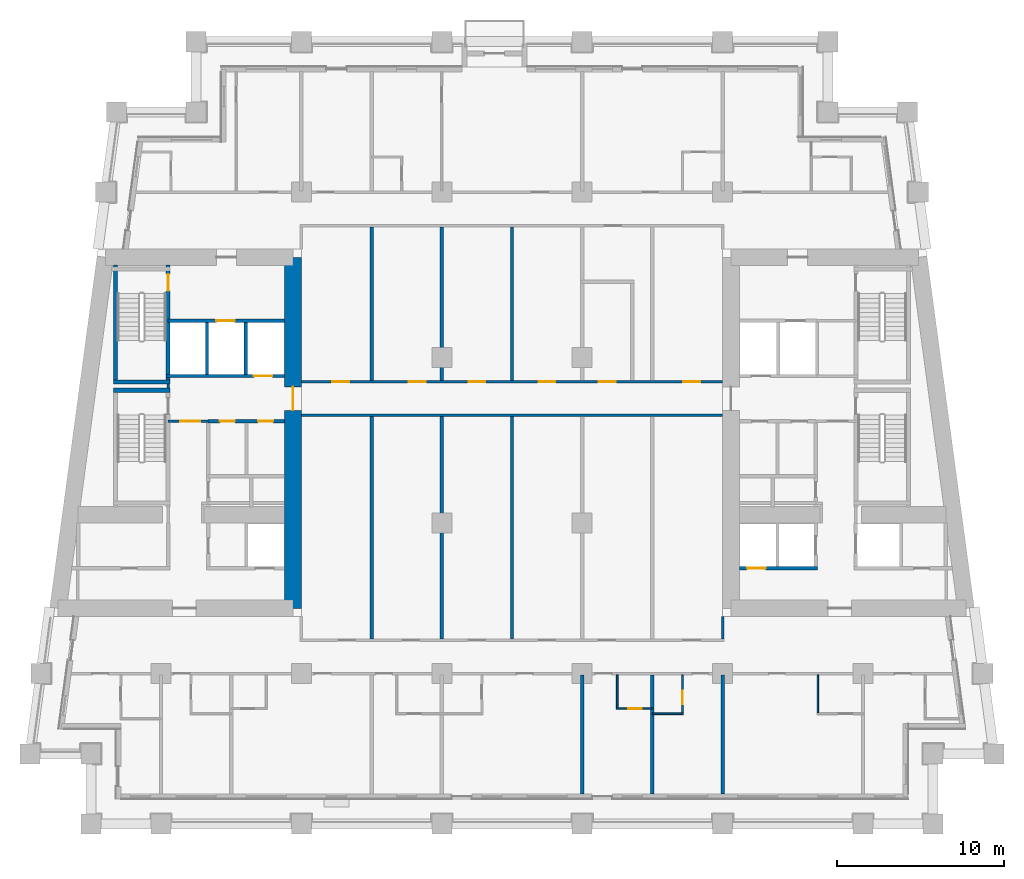
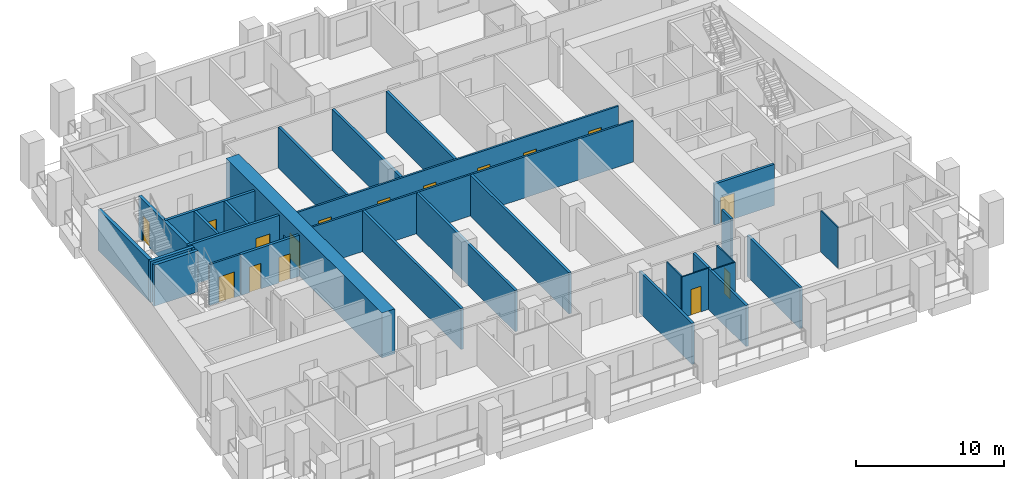
# One storey, part 4 of 13: 30 walls, 16 doors, 16 openings.
"""IFC4 building model written with IfcOpenShell, lengths in metres."""

from ifc_helpers import new_model, si_unit, direction, frame, frame_2d, origin, place, context, subcontext, project, spatial, rectangle, extrude, material, layer, layer_set, type_object, element, fill, save


model = new_model("IFC4")

# Units and contexts
model_context = context("Model", 3, precision=1e-05, world=origin(), true_north=direction((0.0, 1.0)))
body_context = subcontext(model_context, "Body", "Model", "MODEL_VIEW")
ifc_project = project(units=[si_unit("LENGTHUNIT", "METRE"), si_unit("AREAUNIT", "SQUARE_METRE"), si_unit("VOLUMEUNIT", "CUBIC_METRE"), si_unit("PLANEANGLEUNIT", "RADIAN"), si_unit("MASSUNIT", "GRAM", prefix="KILO")], contexts=[model_context])

# Site, building, storey
site_placement = place(None, origin())
site = spatial("IfcSite", under=ifc_project, at=site_placement, CompositionType="ELEMENT")
building_placement = place(site_placement, origin())
building = spatial("IfcBuilding", under=site, at=building_placement, Name="Candeia Pilgrim Tower and Theatre", CompositionType="ELEMENT")
storey_placement = place(building_placement, frame((0.0, 0.0, 105.800048828125)))
storey = spatial("IfcBuildingStorey", under=building, at=storey_placement, Name="L24", CompositionType="ELEMENT", Elevation=105.800048828125)

# Wall, opening, door
ifc_material_1 = material(Name="Concrete C70/85", Category="concrete")
ifc_layer_1 = layer(ifc_material_1, 1.0)
ifc_layer_set_1 = layer_set([ifc_layer_1], Name="Core wall 1000 C70/85")
wall_type_1 = type_object("IfcWallType", Name="Core wall 1000 C70/85", PredefinedType="SHEAR", material=ifc_layer_set_1)
wall_1_placement = place(storey_placement, frame((100.300048828125, 131.89990234375, 0.0), z_axis=(0.0, 0.0, 1.0), x_axis=(0.0, -1.0, 0.0)))
wall_1 = element("IfcWall", 1, at=wall_1_placement, inside=storey, type_object=wall_type_1, Name="Core wall W2", PredefinedType="SHEAR", context=body_context, shape_type="SweptSolid", body=[
    extrude(rectangle(XDim=21.0, YDim=1.0, at=frame_2d((10.5, 0.0))), origin(), (0.0, 0.0, 1.0), 3.699951171875),
])
opening_1_placement = place(wall_1_placement, frame((7.75, 0.0, 0.0)))
opening_1 = element("IfcOpeningElement", 2, at=opening_1_placement, cuts=wall_1, Name="Opening L24-D061", PredefinedType="OPENING", context=body_context, shape_type="SweptSolid", body=[
    extrude(rectangle(XDim=1.39990234375, YDim=2.10009765625, at=frame_2d((0.699951171875, 1.050048828125))), frame((0.0, 0.510009765625, 0.0), z_axis=(0.0, -1.0, 0.0), x_axis=(1.0, 0.0, 0.0)), (0.0, 0.0, 1.0), 1.02001953125),
])
ifc_material_2 = material(Name="Steel fire door set", Category="steel")
door_type_1 = type_object("IfcDoorType", Name="D-1400-FD60", OperationType="NOTDEFINED", PredefinedType="DOOR", material=ifc_material_2)
door_1_placement = place(opening_1_placement, origin())
door_1 = element("IfcDoor", 3, at=door_1_placement, inside=storey, type_object=door_type_1, Name="Door L24-D061", OperationType="SINGLE_SWING_LEFT", OverallHeight=2.10009765625, OverallWidth=1.39990234375, PredefinedType="DOOR", context=body_context, shape_type="SweptSolid", body=[
    extrude(rectangle(XDim=1.39990234375, YDim=2.10009765625, at=frame_2d((0.699951171875, 1.050048828125))), frame((0.0, 0.02490234375, 0.0), z_axis=(0.0, -1.0, 0.0), x_axis=(1.0, 0.0, 0.0)), (0.0, 0.0, 1.0), 0.050048828125),
])
fill(opening_1, door_1)

# Wall
ifc_material_3 = material(Name="Gypsum board partition on steel studs", Category="steel")
ifc_layer_2 = layer(ifc_material_3, 0.10009765625)
ifc_layer_set_2 = layer_set([ifc_layer_2], Name="PW-100 room partition")
wall_type_2 = type_object("IfcWallType", Name="PW-100 room partition", PredefinedType="PARTITIONING", material=ifc_layer_set_2)
wall_2_placement = place(storey_placement, frame((121.800048828125, 104.60009765625, 0.0), z_axis=(0.0, 0.0, 1.0), x_axis=(1.0, 0.0, 0.0)))
element("IfcWall", 4, at=wall_2_placement, inside=storey, type_object=wall_type_2, Name="Room partition L24-005", PredefinedType="PARTITIONING", context=body_context, shape_type="SweptSolid", body=[
    extrude(rectangle(XDim=1.849853515625, YDim=0.10009765625, at=frame_2d((0.9248046875, 0.0))), origin(), (0.0, 0.0, 1.0), 3.3798828125),
])

# Wall, opening, door
wall_3_placement = place(storey_placement, frame((119.64990234375, 104.89990234375, 0.0), z_axis=(0.0, 0.0, 1.0), x_axis=(1.0, 0.0, 0.0)))
wall_3 = element("IfcWall", 5, at=wall_3_placement, inside=storey, type_object=wall_type_2, Name="Room partition L24-008", PredefinedType="PARTITIONING", context=body_context, shape_type="SweptSolid", body=[
    extrude(rectangle(XDim=2.150146484375, YDim=0.10009765625, at=frame_2d((1.0751953125, 0.0))), origin(), (0.0, 0.0, 1.0), 3.3798828125),
])
opening_2_placement = place(wall_3_placement, frame((0.699951171875, 0.0, 0.0)))
opening_2 = element("IfcOpeningElement", 6, at=opening_2_placement, cuts=wall_3, Name="Opening L24-D027", PredefinedType="OPENING", context=body_context, shape_type="SweptSolid", body=[
    extrude(rectangle(XDim=0.800048828125, YDim=2.10009765625, at=frame_2d((0.39990234375, 1.050048828125))), frame((0.0, 0.06005859375, 0.0), z_axis=(0.0, -1.0, 0.0), x_axis=(1.0, 0.0, 0.0)), (0.0, 0.0, 1.0), 0.1201171875),
])
ifc_material_4 = material(Name="Timber door leaf", Category="wood")
door_type_2 = type_object("IfcDoorType", Name="D-800", OperationType="NOTDEFINED", PredefinedType="DOOR", material=ifc_material_4)
door_2_placement = place(opening_2_placement, origin())
door_2 = element("IfcDoor", 7, at=door_2_placement, inside=storey, type_object=door_type_2, Name="Door L24-D027", OperationType="SINGLE_SWING_LEFT", OverallHeight=2.10009765625, OverallWidth=0.800048828125, PredefinedType="DOOR", context=body_context, shape_type="SweptSolid", body=[
    extrude(rectangle(XDim=0.800048828125, YDim=2.10009765625, at=frame_2d((0.39990234375, 1.050048828125))), frame((0.0, 0.02490234375, 0.0), z_axis=(0.0, -1.0, 0.0), x_axis=(1.0, 0.0, 0.0)), (0.0, 0.0, 1.0), 0.050048828125),
])
fill(opening_2, door_2)

# Wall
wall_4_placement = place(storey_placement, frame((119.699951171875, 104.949951171875, 0.0), z_axis=(0.0, 0.0, 1.0), x_axis=(0.0, 1.0, 0.0)))
element("IfcWall", 8, at=wall_4_placement, inside=storey, type_object=wall_type_2, Name="Room partition L24-092", PredefinedType="PARTITIONING", context=body_context, shape_type="SweptSolid", body=[
    extrude(rectangle(XDim=1.97509765625, YDim=0.10009765625, at=frame_2d((0.987548828125, 0.0))), origin(), (0.0, 0.0, 1.0), 3.3798828125),
])

# Wall, opening, door
wall_5_placement = place(storey_placement, frame((123.60009765625, 104.64990234375, 0.0), z_axis=(0.0, 0.0, 1.0), x_axis=(0.0, 1.0, 0.0)))
wall_5 = element("IfcWall", 9, at=wall_5_placement, inside=storey, type_object=wall_type_2, Name="Room partition L24-097", PredefinedType="PARTITIONING", context=body_context, shape_type="SweptSolid", body=[
    extrude(rectangle(XDim=2.275146484375, YDim=0.10009765625, at=frame_2d((1.1376953125, 0.0))), origin(), (0.0, 0.0, 1.0), 3.3798828125),
])
opening_3_placement = place(wall_5_placement, frame((0.52490234375, 0.0, 0.0)))
opening_3 = element("IfcOpeningElement", 10, at=opening_3_placement, cuts=wall_5, Name="Opening L24-D029", PredefinedType="OPENING", context=body_context, shape_type="SweptSolid", body=[
    extrude(rectangle(XDim=0.800048828125, YDim=2.10009765625, at=frame_2d((0.39990234375, 1.050048828125))), frame((0.0, 0.06005859375, 0.0), z_axis=(0.0, -1.0, 0.0), x_axis=(1.0, 0.0, 0.0)), (0.0, 0.0, 1.0), 0.1201171875),
])
door_3_placement = place(opening_3_placement, origin())
door_3 = element("IfcDoor", 11, at=door_3_placement, inside=storey, type_object=door_type_2, Name="Door L24-D029", OperationType="SINGLE_SWING_LEFT", OverallHeight=2.10009765625, OverallWidth=0.800048828125, PredefinedType="DOOR", context=body_context, shape_type="SweptSolid", body=[
    extrude(rectangle(XDim=0.800048828125, YDim=2.10009765625, at=frame_2d((0.39990234375, 1.050048828125))), frame((0.0, 0.02490234375, 0.0), z_axis=(0.0, -1.0, 0.0), x_axis=(1.0, 0.0, 0.0)), (0.0, 0.0, 1.0), 0.050048828125),
])
fill(opening_3, door_3)

# Wall
wall_6_placement = place(storey_placement, frame((131.699951171875, 104.64990234375, 0.0), z_axis=(0.0, 0.0, 1.0), x_axis=(0.0, 1.0, 0.0)))
element("IfcWall", 12, at=wall_6_placement, inside=storey, type_object=wall_type_2, Name="Room partition L24-111", PredefinedType="PARTITIONING", context=body_context, shape_type="SweptSolid", body=[
    extrude(rectangle(XDim=2.275146484375, YDim=0.10009765625, at=frame_2d((1.1376953125, 0.0))), origin(), (0.0, 0.0, 1.0), 3.3798828125),
])

# Wall, opening, door
ifc_layer_3 = layer(ifc_material_3, 0.14990234375)
ifc_layer_set_3 = layer_set([ifc_layer_3], Name="PW-150 lobby wall")
wall_type_3 = type_object("IfcWallType", Name="PW-150 lobby wall", PredefinedType="PARTITIONING", material=ifc_layer_set_3)
wall_7_placement = place(storey_placement, frame((92.826904296875, 122.10009765625, 0.0), z_axis=(0.0, 0.0, 1.0), x_axis=(1.0, 0.0, 0.0)))
wall_7 = element("IfcWall", 13, at=wall_7_placement, inside=storey, type_object=wall_type_3, Name="Lobby wall L24-025", PredefinedType="PARTITIONING", context=body_context, shape_type="SweptSolid", body=[
    extrude(rectangle(XDim=2.400146484375, YDim=0.14990234375, at=frame_2d((1.2001953125, 0.0))), origin(), (0.0, 0.0, 1.0), 3.3798828125),
])
opening_4_placement = place(wall_7_placement, frame((0.72509765625, 0.0, 0.0)))
opening_4 = element("IfcOpeningElement", 14, at=opening_4_placement, cuts=wall_7, Name="Opening L24-D001", PredefinedType="OPENING", context=body_context, shape_type="SweptSolid", body=[
    extrude(rectangle(XDim=1.199951171875, YDim=2.10009765625, at=frame_2d((0.60009765625, 1.050048828125))), frame((0.0, 0.0849609375, 0.0), z_axis=(0.0, -1.0, 0.0), x_axis=(1.0, 0.0, 0.0)), (0.0, 0.0, 1.0), 0.169921875),
])
door_type_3 = type_object("IfcDoorType", Name="D-1200-FD60", OperationType="NOTDEFINED", PredefinedType="DOOR", material=ifc_material_2)
door_4_placement = place(opening_4_placement, origin())
door_4 = element("IfcDoor", 15, at=door_4_placement, inside=storey, type_object=door_type_3, Name="Door L24-D001", OperationType="SINGLE_SWING_LEFT", OverallHeight=2.10009765625, OverallWidth=1.199951171875, PredefinedType="DOOR", context=body_context, shape_type="SweptSolid", body=[
    extrude(rectangle(XDim=1.199951171875, YDim=2.10009765625, at=frame_2d((0.60009765625, 1.050048828125))), frame((0.0, 0.02490234375, 0.0), z_axis=(0.0, -1.0, 0.0), x_axis=(1.0, 0.0, 0.0)), (0.0, 0.0, 1.0), 0.050048828125),
])
fill(opening_4, door_4)

# Walls
wall_8_placement = place(storey_placement, frame((92.826904296875, 124.074951171875, 0.0), z_axis=(0.0, 0.0, 1.0), x_axis=(0.0, 1.0, 0.0)))
element("IfcWall", 16, at=wall_8_placement, inside=storey, type_object=wall_type_3, Name="Lobby wall L24-056", PredefinedType="PARTITIONING", context=body_context, shape_type="SweptSolid", body=[
    extrude(rectangle(XDim=0.25, YDim=0.14990234375, at=frame_2d((0.125, 0.0))), origin(), (0.0, 0.0, 1.0), 3.3798828125),
])
ifc_layer_4 = layer(ifc_material_3, 0.14990234375)
ifc_layer_set_4 = layer_set([ifc_layer_4], Name="PW-150 unit wall")
wall_type_4 = type_object("IfcWallType", Name="PW-150 unit wall", PredefinedType="PARTITIONING", material=ifc_layer_set_4)
wall_9_placement = place(storey_placement, frame((100.800048828125, 122.449951171875, 0.0), z_axis=(0.0, 0.0, 1.0), x_axis=(1.0, 0.0, 0.0)))
element("IfcWall", 17, at=wall_9_placement, inside=storey, type_object=wall_type_4, Name="Unit wall L24-027", PredefinedType="PARTITIONING", context=body_context, shape_type="SweptSolid", body=[
    extrude(rectangle(XDim=25.199951171875, YDim=0.14990234375, at=frame_2d((12.60009765625, 0.0))), origin(), (0.0, 0.0, 1.0), 3.3798828125),
])

# Wall, openings, doors
wall_10_placement = place(storey_placement, frame((100.800048828125, 124.449951171875, 0.0), z_axis=(0.0, 0.0, 1.0), x_axis=(1.0, 0.0, 0.0)))
wall_10 = element("IfcWall", 18, at=wall_10_placement, inside=storey, type_object=wall_type_4, Name="Unit wall L24-032", PredefinedType="PARTITIONING", context=body_context, shape_type="SweptSolid", body=[
    extrude(rectangle(XDim=25.199951171875, YDim=0.14990234375, at=frame_2d((12.60009765625, 0.0))), origin(), (0.0, 0.0, 1.0), 3.3798828125),
])
opening_5_placement = place(wall_10_placement, frame((1.85009765625, 0.0, 0.0)))
opening_5 = element("IfcOpeningElement", 19, at=opening_5_placement, cuts=wall_10, Name="Opening L24-D053", PredefinedType="OPENING", context=body_context, shape_type="SweptSolid", body=[
    extrude(rectangle(XDim=1.0, YDim=2.10009765625, at=frame_2d((0.5, 1.050048828125))), frame((0.0, 0.0849609375, 0.0), z_axis=(0.0, -1.0, 0.0), x_axis=(1.0, 0.0, 0.0)), (0.0, 0.0, 1.0), 0.169921875),
])
opening_6_placement = place(wall_10_placement, frame((6.425048828125, 0.0, 0.0)))
opening_6 = element("IfcOpeningElement", 20, at=opening_6_placement, cuts=wall_10, Name="Opening L24-D054", PredefinedType="OPENING", context=body_context, shape_type="SweptSolid", body=[
    extrude(rectangle(XDim=1.0, YDim=2.10009765625, at=frame_2d((0.5, 1.050048828125))), frame((0.0, 0.0849609375, 0.0), z_axis=(0.0, -1.0, 0.0), x_axis=(1.0, 0.0, 0.0)), (0.0, 0.0, 1.0), 0.169921875),
])
opening_7_placement = place(wall_10_placement, frame((10.0, 0.0, 0.0)))
opening_7 = element("IfcOpeningElement", 21, at=opening_7_placement, cuts=wall_10, Name="Opening L24-D055", PredefinedType="OPENING", context=body_context, shape_type="SweptSolid", body=[
    extrude(rectangle(XDim=1.0, YDim=2.10009765625, at=frame_2d((0.5, 1.050048828125))), frame((0.0, 0.0849609375, 0.0), z_axis=(0.0, -1.0, 0.0), x_axis=(1.0, 0.0, 0.0)), (0.0, 0.0, 1.0), 0.169921875),
])
opening_8_placement = place(wall_10_placement, frame((14.199951171875, 0.0, 0.0)))
opening_8 = element("IfcOpeningElement", 22, at=opening_8_placement, cuts=wall_10, Name="Opening L24-D056", PredefinedType="OPENING", context=body_context, shape_type="SweptSolid", body=[
    extrude(rectangle(XDim=1.0, YDim=2.10009765625, at=frame_2d((0.5, 1.050048828125))), frame((0.0, 0.0849609375, 0.0), z_axis=(0.0, -1.0, 0.0), x_axis=(1.0, 0.0, 0.0)), (0.0, 0.0, 1.0), 0.169921875),
])
opening_9_placement = place(wall_10_placement, frame((17.800048828125, 0.0, 0.0)))
opening_9 = element("IfcOpeningElement", 23, at=opening_9_placement, cuts=wall_10, Name="Opening L24-D057", PredefinedType="OPENING", context=body_context, shape_type="SweptSolid", body=[
    extrude(rectangle(XDim=1.0, YDim=2.10009765625, at=frame_2d((0.5, 1.050048828125))), frame((0.0, 0.0849609375, 0.0), z_axis=(0.0, -1.0, 0.0), x_axis=(1.0, 0.0, 0.0)), (0.0, 0.0, 1.0), 0.169921875),
])
opening_10_placement = place(wall_10_placement, frame((22.85009765625, 0.0, 0.0)))
opening_10 = element("IfcOpeningElement", 24, at=opening_10_placement, cuts=wall_10, Name="Opening L24-D058", PredefinedType="OPENING", context=body_context, shape_type="SweptSolid", body=[
    extrude(rectangle(XDim=1.0, YDim=2.10009765625, at=frame_2d((0.5, 1.050048828125))), frame((0.0, 0.0849609375, 0.0), z_axis=(0.0, -1.0, 0.0), x_axis=(1.0, 0.0, 0.0)), (0.0, 0.0, 1.0), 0.169921875),
])
door_type_4 = type_object("IfcDoorType", Name="D-1000-FD30S", OperationType="NOTDEFINED", PredefinedType="DOOR", material=ifc_material_2)
door_5_placement = place(opening_5_placement, origin())
door_5 = element("IfcDoor", 25, at=door_5_placement, inside=storey, type_object=door_type_4, Name="Door L24-D053", OperationType="SINGLE_SWING_LEFT", OverallHeight=2.10009765625, OverallWidth=1.0, PredefinedType="DOOR", context=body_context, shape_type="SweptSolid", body=[
    extrude(rectangle(XDim=1.0, YDim=2.10009765625, at=frame_2d((0.5, 1.050048828125))), frame((0.0, 0.02490234375, 0.0), z_axis=(0.0, -1.0, 0.0), x_axis=(1.0, 0.0, 0.0)), (0.0, 0.0, 1.0), 0.050048828125),
])
fill(opening_5, door_5)
door_6_placement = place(opening_6_placement, origin())
door_6 = element("IfcDoor", 26, at=door_6_placement, inside=storey, type_object=door_type_4, Name="Door L24-D054", OperationType="SINGLE_SWING_RIGHT", OverallHeight=2.10009765625, OverallWidth=1.0, PredefinedType="DOOR", context=body_context, shape_type="SweptSolid", body=[
    extrude(rectangle(XDim=1.0, YDim=2.10009765625, at=frame_2d((0.5, 1.050048828125))), frame((0.0, 0.02490234375, 0.0), z_axis=(0.0, -1.0, 0.0), x_axis=(1.0, 0.0, 0.0)), (0.0, 0.0, 1.0), 0.050048828125),
])
fill(opening_6, door_6)
door_7_placement = place(opening_7_placement, origin())
door_7 = element("IfcDoor", 27, at=door_7_placement, inside=storey, type_object=door_type_4, Name="Door L24-D055", OperationType="SINGLE_SWING_LEFT", OverallHeight=2.10009765625, OverallWidth=1.0, PredefinedType="DOOR", context=body_context, shape_type="SweptSolid", body=[
    extrude(rectangle(XDim=1.0, YDim=2.10009765625, at=frame_2d((0.5, 1.050048828125))), frame((0.0, 0.02490234375, 0.0), z_axis=(0.0, -1.0, 0.0), x_axis=(1.0, 0.0, 0.0)), (0.0, 0.0, 1.0), 0.050048828125),
])
fill(opening_7, door_7)
door_8_placement = place(opening_8_placement, origin())
door_8 = element("IfcDoor", 28, at=door_8_placement, inside=storey, type_object=door_type_4, Name="Door L24-D056", OperationType="SINGLE_SWING_RIGHT", OverallHeight=2.10009765625, OverallWidth=1.0, PredefinedType="DOOR", context=body_context, shape_type="SweptSolid", body=[
    extrude(rectangle(XDim=1.0, YDim=2.10009765625, at=frame_2d((0.5, 1.050048828125))), frame((0.0, 0.02490234375, 0.0), z_axis=(0.0, -1.0, 0.0), x_axis=(1.0, 0.0, 0.0)), (0.0, 0.0, 1.0), 0.050048828125),
])
fill(opening_8, door_8)
door_9_placement = place(opening_9_placement, origin())
door_9 = element("IfcDoor", 29, at=door_9_placement, inside=storey, type_object=door_type_4, Name="Door L24-D057", OperationType="SINGLE_SWING_LEFT", OverallHeight=2.10009765625, OverallWidth=1.0, PredefinedType="DOOR", context=body_context, shape_type="SweptSolid", body=[
    extrude(rectangle(XDim=1.0, YDim=2.10009765625, at=frame_2d((0.5, 1.050048828125))), frame((0.0, 0.02490234375, 0.0), z_axis=(0.0, -1.0, 0.0), x_axis=(1.0, 0.0, 0.0)), (0.0, 0.0, 1.0), 0.050048828125),
])
fill(opening_9, door_9)
door_10_placement = place(opening_10_placement, origin())
door_10 = element("IfcDoor", 30, at=door_10_placement, inside=storey, type_object=door_type_4, Name="Door L24-D058", OperationType="SINGLE_SWING_RIGHT", OverallHeight=2.10009765625, OverallWidth=1.0, PredefinedType="DOOR", context=body_context, shape_type="SweptSolid", body=[
    extrude(rectangle(XDim=1.0, YDim=2.10009765625, at=frame_2d((0.5, 1.050048828125))), frame((0.0, 0.02490234375, 0.0), z_axis=(0.0, -1.0, 0.0), x_axis=(1.0, 0.0, 0.0)), (0.0, 0.0, 1.0), 0.050048828125),
])
fill(opening_10, door_10)

# Walls
wall_11_placement = place(storey_placement, frame((126.0, 109.074951171875, 0.0), z_axis=(0.0, 0.0, 1.0), x_axis=(0.0, 1.0, 0.0)))
element("IfcWall", 31, at=wall_11_placement, inside=storey, type_object=wall_type_4, Name="Unit wall L24-101", PredefinedType="PARTITIONING", context=body_context, shape_type="SweptSolid", body=[
    extrude(rectangle(XDim=1.324951171875, YDim=0.14990234375, at=frame_2d((0.66259765625, 0.0))), origin(), (0.0, 0.0, 1.0), 3.3798828125),
])
ifc_layer_5 = layer(ifc_material_3, 0.199951171875)
ifc_layer_set_5 = layer_set([ifc_layer_5], Name="PW-200 party wall")
wall_type_5 = type_object("IfcWallType", Name="PW-200 party wall", PredefinedType="PARTITIONING", material=ifc_layer_set_5)
wall_12_placement = place(storey_placement, frame((105.0, 109.074951171875, 0.0), z_axis=(0.0, 0.0, 1.0), x_axis=(0.0, 1.0, 0.0)))
element("IfcWall", 32, at=wall_12_placement, inside=storey, type_object=wall_type_5, Name="Party wall L24-076", PredefinedType="PARTITIONING", context=body_context, shape_type="SweptSolid", body=[
    extrude(rectangle(XDim=13.300048828125, YDim=0.199951171875, at=frame_2d((6.64990234375, 0.0))), origin(), (0.0, 0.0, 1.0), 3.3798828125),
])
wall_13_placement = place(storey_placement, frame((105.0, 124.52490234375, 0.0), z_axis=(0.0, 0.0, 1.0), x_axis=(0.0, 1.0, 0.0)))
element("IfcWall", 33, at=wall_13_placement, inside=storey, type_object=wall_type_5, Name="Party wall L24-077", PredefinedType="PARTITIONING", context=body_context, shape_type="SweptSolid", body=[
    extrude(rectangle(XDim=9.2001953125, YDim=0.199951171875, at=frame_2d((4.60009765625, 0.0))), origin(), (0.0, 0.0, 1.0), 3.3798828125),
])
wall_14_placement = place(storey_placement, frame((109.199951171875, 109.074951171875, 0.0), z_axis=(0.0, 0.0, 1.0), x_axis=(0.0, 1.0, 0.0)))
element("IfcWall", 34, at=wall_14_placement, inside=storey, type_object=wall_type_5, Name="Party wall L24-083", PredefinedType="PARTITIONING", context=body_context, shape_type="SweptSolid", body=[
    extrude(rectangle(XDim=13.300048828125, YDim=0.199951171875, at=frame_2d((6.64990234375, 0.0))), origin(), (0.0, 0.0, 1.0), 3.3798828125),
])
wall_15_placement = place(storey_placement, frame((109.199951171875, 124.52490234375, 0.0), z_axis=(0.0, 0.0, 1.0), x_axis=(0.0, 1.0, 0.0)))
element("IfcWall", 35, at=wall_15_placement, inside=storey, type_object=wall_type_5, Name="Party wall L24-084", PredefinedType="PARTITIONING", context=body_context, shape_type="SweptSolid", body=[
    extrude(rectangle(XDim=9.2001953125, YDim=0.199951171875, at=frame_2d((4.60009765625, 0.0))), origin(), (0.0, 0.0, 1.0), 3.3798828125),
])
wall_16_placement = place(storey_placement, frame((113.39990234375, 109.074951171875, 0.0), z_axis=(0.0, 0.0, 1.0), x_axis=(0.0, 1.0, 0.0)))
element("IfcWall", 36, at=wall_16_placement, inside=storey, type_object=wall_type_5, Name="Party wall L24-086", PredefinedType="PARTITIONING", context=body_context, shape_type="SweptSolid", body=[
    extrude(rectangle(XDim=13.300048828125, YDim=0.199951171875, at=frame_2d((6.64990234375, 0.0))), origin(), (0.0, 0.0, 1.0), 3.3798828125),
])
wall_17_placement = place(storey_placement, frame((113.39990234375, 124.52490234375, 0.0), z_axis=(0.0, 0.0, 1.0), x_axis=(0.0, 1.0, 0.0)))
element("IfcWall", 37, at=wall_17_placement, inside=storey, type_object=wall_type_5, Name="Party wall L24-087", PredefinedType="PARTITIONING", context=body_context, shape_type="SweptSolid", body=[
    extrude(rectangle(XDim=9.2001953125, YDim=0.199951171875, at=frame_2d((4.60009765625, 0.0))), origin(), (0.0, 0.0, 1.0), 3.3798828125),
])
for number, where, z_axis, x_axis, name in (
    (38, (117.60009765625, 99.7900390625, 0.0), (0.0, 0.0, 1.0), (0.0, 1.0, 0.0), "Party wall L24-088"),
    (39, (121.800048828125, 99.7900390625, 0.0), (0.0, 0.0, 1.0), (0.0, 1.0, 0.0), "Party wall L24-094"),
    (40, (126.0, 99.7900390625, 0.0), (0.0, 0.0, 1.0), (0.0, 1.0, 0.0), "Party wall L24-099"),
):
    element("IfcWall", number, at=place(storey_placement, frame(where, z_axis=z_axis, x_axis=x_axis)), inside=storey, type_object=wall_type_5, Name=name, PredefinedType="PARTITIONING", context=body_context, shape_type="SweptSolid", body=[
        extrude(rectangle(XDim=7.135009765625, YDim=0.199951171875, at=frame_2d((3.5673828125, 0.0))), origin(), (0.0, 0.0, 1.0), 3.3798828125),
    ])

# Wall, opening, door
ifc_material_5 = material(Name="Concrete C40/50", Category="concrete")
ifc_layer_6 = layer(ifc_material_5, 0.199951171875)
ifc_layer_set_6 = layer_set([ifc_layer_6], Name="SW-200 shaft wall")
wall_type_6 = type_object("IfcWallType", Name="SW-200 shaft wall", PredefinedType="PARTITIONING", material=ifc_layer_set_6)
wall_18_placement = place(storey_placement, frame((127.0, 113.300048828125, 0.0), z_axis=(0.0, 0.0, 1.0), x_axis=(1.0, 0.0, 0.0)))
wall_18 = element("IfcWall", 41, at=wall_18_placement, inside=storey, type_object=wall_type_6, Name="Shaft wall L24-013", PredefinedType="PARTITIONING", context=body_context, shape_type="SweptSolid", body=[
    extrude(rectangle(XDim=4.673095703125, YDim=0.199951171875, at=frame_2d((2.33642578125, 0.0))), origin(), (0.0, 0.0, 1.0), 3.3798828125),
])
opening_11_placement = place(wall_18_placement, frame((0.471923828125, 0.0, 0.0)))
opening_11 = element("IfcOpeningElement", 42, at=opening_11_placement, cuts=wall_18, Name="Opening L24-LD08", PredefinedType="OPENING", context=body_context, shape_type="SweptSolid", body=[
    extrude(rectangle(XDim=1.10009765625, YDim=2.10009765625, at=frame_2d((0.550048828125, 1.050048828125))), frame((0.0, 0.10986328125, 0.0), z_axis=(0.0, -1.0, 0.0), x_axis=(1.0, 0.0, 0.0)), (0.0, 0.0, 1.0), 0.219970703125),
])
ifc_material_6 = material(Name="Glazed aluminium landing door", Category="aluminium")
door_type_5 = type_object("IfcDoorType", Name="LD-1100-EI120", OperationType="SLIDING_TO_LEFT", PredefinedType="DOOR", material=ifc_material_6)
door_11_placement = place(opening_11_placement, origin())
door_11 = element("IfcDoor", 43, at=door_11_placement, inside=storey, type_object=door_type_5, Name="Landing door 08 L24", OperationType="SLIDING_TO_LEFT", OverallHeight=2.10009765625, OverallWidth=1.10009765625, PredefinedType="DOOR", context=body_context, shape_type="SweptSolid", body=[
    extrude(rectangle(XDim=1.10009765625, YDim=2.10009765625, at=frame_2d((0.550048828125, 1.050048828125))), frame((0.0, 0.02490234375, 0.0), z_axis=(0.0, -1.0, 0.0), x_axis=(1.0, 0.0, 0.0)), (0.0, 0.0, 1.0), 0.050048828125),
])
fill(opening_11, door_11)

# Wall, openings, doors
wall_19_placement = place(storey_placement, frame((95.22705078125, 122.10009765625, 0.0), z_axis=(0.0, 0.0, 1.0), x_axis=(1.0, 0.0, 0.0)))
wall_19 = element("IfcWall", 44, at=wall_19_placement, inside=storey, type_object=wall_type_6, Name="Shaft wall L24-023", PredefinedType="PARTITIONING", context=body_context, shape_type="SweptSolid", body=[
    extrude(rectangle(XDim=4.572998046875, YDim=0.199951171875, at=frame_2d((2.28662109375, 0.0))), origin(), (0.0, 0.0, 1.0), 3.3798828125),
])
opening_12_placement = place(wall_19_placement, frame((0.693115234375, 0.0, 0.0)))
opening_12 = element("IfcOpeningElement", 45, at=opening_12_placement, cuts=wall_19, Name="Opening L24-D002", PredefinedType="OPENING", context=body_context, shape_type="SweptSolid", body=[
    extrude(rectangle(XDim=0.89990234375, YDim=2.10009765625, at=frame_2d((0.449951171875, 1.050048828125))), frame((0.0, 0.10986328125, 0.0), z_axis=(0.0, -1.0, 0.0), x_axis=(1.0, 0.0, 0.0)), (0.0, 0.0, 1.0), 0.219970703125),
])
opening_13_placement = place(wall_19_placement, frame((2.97998046875, 0.0, 0.0)))
opening_13 = element("IfcOpeningElement", 46, at=opening_13_placement, cuts=wall_19, Name="Opening L24-D003", PredefinedType="OPENING", context=body_context, shape_type="SweptSolid", body=[
    extrude(rectangle(XDim=0.89990234375, YDim=2.10009765625, at=frame_2d((0.449951171875, 1.050048828125))), frame((0.0, 0.10986328125, 0.0), z_axis=(0.0, -1.0, 0.0), x_axis=(1.0, 0.0, 0.0)), (0.0, 0.0, 1.0), 0.219970703125),
])
door_type_6 = type_object("IfcDoorType", Name="D-900-FD60", OperationType="NOTDEFINED", PredefinedType="DOOR", material=ifc_material_2)
door_12_placement = place(opening_12_placement, origin())
door_12 = element("IfcDoor", 47, at=door_12_placement, inside=storey, type_object=door_type_6, Name="Door L24-D002", OperationType="SINGLE_SWING_RIGHT", OverallHeight=2.10009765625, OverallWidth=0.89990234375, PredefinedType="DOOR", context=body_context, shape_type="SweptSolid", body=[
    extrude(rectangle(XDim=0.89990234375, YDim=2.10009765625, at=frame_2d((0.449951171875, 1.050048828125))), frame((0.0, 0.02490234375, 0.0), z_axis=(0.0, -1.0, 0.0), x_axis=(1.0, 0.0, 0.0)), (0.0, 0.0, 1.0), 0.050048828125),
])
fill(opening_12, door_12)
door_13_placement = place(opening_13_placement, origin())
door_13 = element("IfcDoor", 48, at=door_13_placement, inside=storey, type_object=door_type_6, Name="Door L24-D003", OperationType="SINGLE_SWING_LEFT", OverallHeight=2.10009765625, OverallWidth=0.89990234375, PredefinedType="DOOR", context=body_context, shape_type="SweptSolid", body=[
    extrude(rectangle(XDim=0.89990234375, YDim=2.10009765625, at=frame_2d((0.449951171875, 1.050048828125))), frame((0.0, 0.02490234375, 0.0), z_axis=(0.0, -1.0, 0.0), x_axis=(1.0, 0.0, 0.0)), (0.0, 0.0, 1.0), 0.050048828125),
])
fill(opening_13, door_13)

# Wall, opening, door
wall_20_placement = place(storey_placement, frame((92.701904296875, 124.800048828125, 0.0), z_axis=(0.0, 0.0, 1.0), x_axis=(1.0, 0.0, 0.0)))
wall_20 = element("IfcWall", 49, at=wall_20_placement, inside=storey, type_object=wall_type_6, Name="Shaft wall L24-033", PredefinedType="PARTITIONING", context=body_context, shape_type="SweptSolid", body=[
    extrude(rectangle(XDim=7.09814453125, YDim=0.199951171875, at=frame_2d((3.549072265625, 0.0))), origin(), (0.0, 0.0, 1.0), 3.3798828125),
])
opening_14_placement = place(wall_20_placement, frame((5.2548828125, 0.0, 0.0)))
opening_14 = element("IfcOpeningElement", 50, at=opening_14_placement, cuts=wall_20, Name="Opening L24-LD02", PredefinedType="OPENING", context=body_context, shape_type="SweptSolid", body=[
    extrude(rectangle(XDim=1.10009765625, YDim=2.10009765625, at=frame_2d((0.550048828125, 1.050048828125))), frame((0.0, 0.10986328125, 0.0), z_axis=(0.0, -1.0, 0.0), x_axis=(1.0, 0.0, 0.0)), (0.0, 0.0, 1.0), 0.219970703125),
])
door_14_placement = place(opening_14_placement, origin())
door_14 = element("IfcDoor", 51, at=door_14_placement, inside=storey, type_object=door_type_5, Name="Landing door 02 L24", OperationType="SLIDING_TO_LEFT", OverallHeight=2.10009765625, OverallWidth=1.10009765625, PredefinedType="DOOR", context=body_context, shape_type="SweptSolid", body=[
    extrude(rectangle(XDim=1.10009765625, YDim=2.10009765625, at=frame_2d((0.550048828125, 1.050048828125))), frame((0.0, 0.02490234375, 0.0), z_axis=(0.0, -1.0, 0.0), x_axis=(1.0, 0.0, 0.0)), (0.0, 0.0, 1.0), 0.050048828125),
])
fill(opening_14, door_14)

wall_21_placement = place(storey_placement, frame((92.826904296875, 128.10009765625, 0.0), z_axis=(0.0, 0.0, 1.0), x_axis=(1.0, 0.0, 0.0)))
wall_21 = element("IfcWall", 52, at=wall_21_placement, inside=storey, type_object=wall_type_6, Name="Shaft wall L24-036", PredefinedType="PARTITIONING", context=body_context, shape_type="SweptSolid", body=[
    extrude(rectangle(XDim=6.97314453125, YDim=0.199951171875, at=frame_2d((3.486572265625, 0.0))), origin(), (0.0, 0.0, 1.0), 3.3798828125),
])
opening_15_placement = place(wall_21_placement, frame((2.884033203125, 0.0, 0.0)))
opening_15 = element("IfcOpeningElement", 53, at=opening_15_placement, cuts=wall_21, Name="Opening L24-LD01", PredefinedType="OPENING", context=body_context, shape_type="SweptSolid", body=[
    extrude(rectangle(XDim=1.10009765625, YDim=2.10009765625, at=frame_2d((0.550048828125, 1.050048828125))), frame((0.0, 0.10986328125, 0.0), z_axis=(0.0, -1.0, 0.0), x_axis=(1.0, 0.0, 0.0)), (0.0, 0.0, 1.0), 0.219970703125),
])
door_15_placement = place(opening_15_placement, origin())
door_15 = element("IfcDoor", 54, at=door_15_placement, inside=storey, type_object=door_type_5, Name="Landing door 01 L24", OperationType="SLIDING_TO_LEFT", OverallHeight=2.10009765625, OverallWidth=1.10009765625, PredefinedType="DOOR", context=body_context, shape_type="SweptSolid", body=[
    extrude(rectangle(XDim=1.10009765625, YDim=2.10009765625, at=frame_2d((0.550048828125, 1.050048828125))), frame((0.0, 0.02490234375, 0.0), z_axis=(0.0, -1.0, 0.0), x_axis=(1.0, 0.0, 0.0)), (0.0, 0.0, 1.0), 0.050048828125),
])
fill(opening_15, door_15)

# Walls
for number, where, z_axis, x_axis, name in (
    (55, (95.1513671875, 124.89990234375, 0.0), (0.0, 0.0, 1.0), (0.0, 1.0, 0.0), "Shaft wall L24-062"),
    (56, (97.4755859375, 124.89990234375, 0.0), (0.0, 0.0, 1.0), (0.0, 1.0, 0.0), "Shaft wall L24-067"),
):
    element("IfcWall", number, at=place(storey_placement, frame(where, z_axis=z_axis, x_axis=x_axis)), inside=storey, type_object=wall_type_6, Name=name, PredefinedType="PARTITIONING", context=body_context, shape_type="SweptSolid", body=[
        extrude(rectangle(XDim=3.10009765625, YDim=0.199951171875, at=frame_2d((1.550048828125, 0.0))), origin(), (0.0, 0.0, 1.0), 3.3798828125),
    ])
ifc_layer_7 = layer(ifc_material_5, 0.25)
ifc_layer_set_7 = layer_set([ifc_layer_7], Name="SW-250 stair wall")
wall_type_7 = type_object("IfcWallType", Name="SW-250 stair wall", PredefinedType="PARTITIONING", material=ifc_layer_set_7)
for number, where, z_axis, x_axis, name in (
    (57, (89.552001953125, 123.949951171875, 0.0), (0.0, 0.0, 1.0), (1.0, 0.0, 0.0), "Stair wall L24-028"),
    (58, (89.552001953125, 124.449951171875, 0.0), (0.0, 0.0, 1.0), (1.0, 0.0, 0.0), "Stair wall L24-030"),
):
    element("IfcWall", number, at=place(storey_placement, frame(where, z_axis=z_axis, x_axis=x_axis)), inside=storey, type_object=wall_type_7, Name=name, PredefinedType="PARTITIONING", context=body_context, shape_type="SweptSolid", body=[
        extrude(rectangle(XDim=3.39990234375, YDim=0.25, at=frame_2d((1.699951171875, 0.0))), origin(), (0.0, 0.0, 1.0), 3.3798828125),
    ])
wall_22_placement = place(storey_placement, frame((89.677001953125, 124.574951171875, 0.0), z_axis=(0.0, 0.0, 1.0), x_axis=(0.0, 1.0, 0.0)))
element("IfcWall", 59, at=wall_22_placement, inside=storey, type_object=wall_type_7, Name="Stair wall L24-051", PredefinedType="PARTITIONING", context=body_context, shape_type="SweptSolid", body=[
    extrude(rectangle(XDim=6.85498046875, YDim=0.25, at=frame_2d((3.427490234375, 0.0))), origin(), (0.0, 0.0, 1.0), 3.3798828125),
])

# Wall, opening, door
wall_23_placement = place(storey_placement, frame((92.826904296875, 124.574951171875, 0.0), z_axis=(0.0, 0.0, 1.0), x_axis=(0.0, 1.0, 0.0)))
wall_23 = element("IfcWall", 60, at=wall_23_placement, inside=storey, type_object=wall_type_7, Name="Stair wall L24-058", PredefinedType="PARTITIONING", context=body_context, shape_type="SweptSolid", body=[
    extrude(rectangle(XDim=6.85498046875, YDim=0.25, at=frame_2d((3.427490234375, 0.0))), origin(), (0.0, 0.0, 1.0), 3.3798828125),
])
opening_16_placement = place(wall_23_placement, frame((5.324951171875, 0.0, 0.0)))
opening_16 = element("IfcOpeningElement", 61, at=opening_16_placement, cuts=wall_23, Name="Opening L24-D005", PredefinedType="OPENING", context=body_context, shape_type="SweptSolid", body=[
    extrude(rectangle(XDim=1.0, YDim=2.10009765625, at=frame_2d((0.5, 1.050048828125))), frame((0.0, 0.135009765625, 0.0), z_axis=(0.0, -1.0, 0.0), x_axis=(1.0, 0.0, 0.0)), (0.0, 0.0, 1.0), 0.27001953125),
])
door_type_7 = type_object("IfcDoorType", Name="D-1000-FD60", OperationType="NOTDEFINED", PredefinedType="DOOR", material=ifc_material_2)
door_16_placement = place(opening_16_placement, origin())
door_16 = element("IfcDoor", 62, at=door_16_placement, inside=storey, type_object=door_type_7, Name="Door L24-D005", OperationType="SINGLE_SWING_LEFT", OverallHeight=2.10009765625, OverallWidth=1.0, PredefinedType="DOOR", context=body_context, shape_type="SweptSolid", body=[
    extrude(rectangle(XDim=1.0, YDim=2.10009765625, at=frame_2d((0.5, 1.050048828125))), frame((0.0, 0.02490234375, 0.0), z_axis=(0.0, -1.0, 0.0), x_axis=(1.0, 0.0, 0.0)), (0.0, 0.0, 1.0), 0.050048828125),
])
fill(opening_16, door_16)

save(model, "model.ifc")
